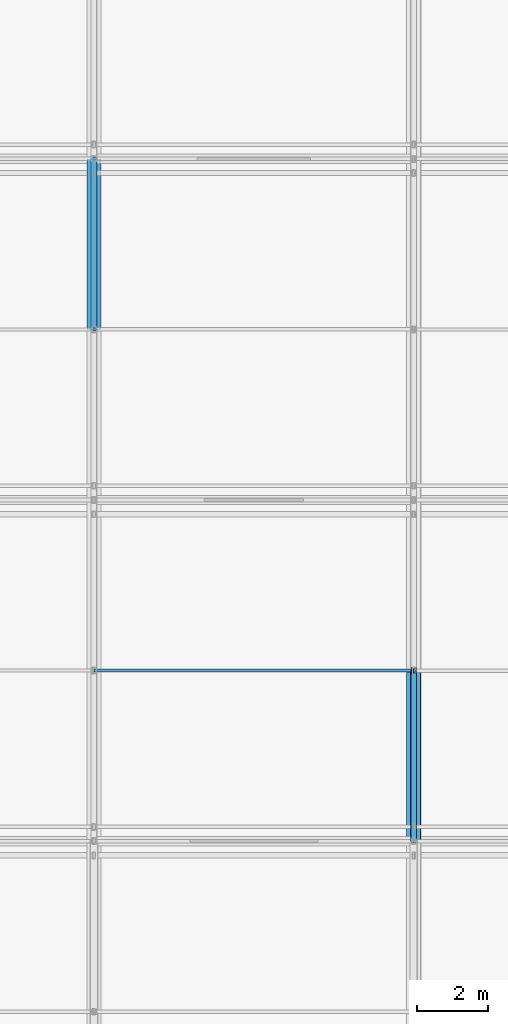
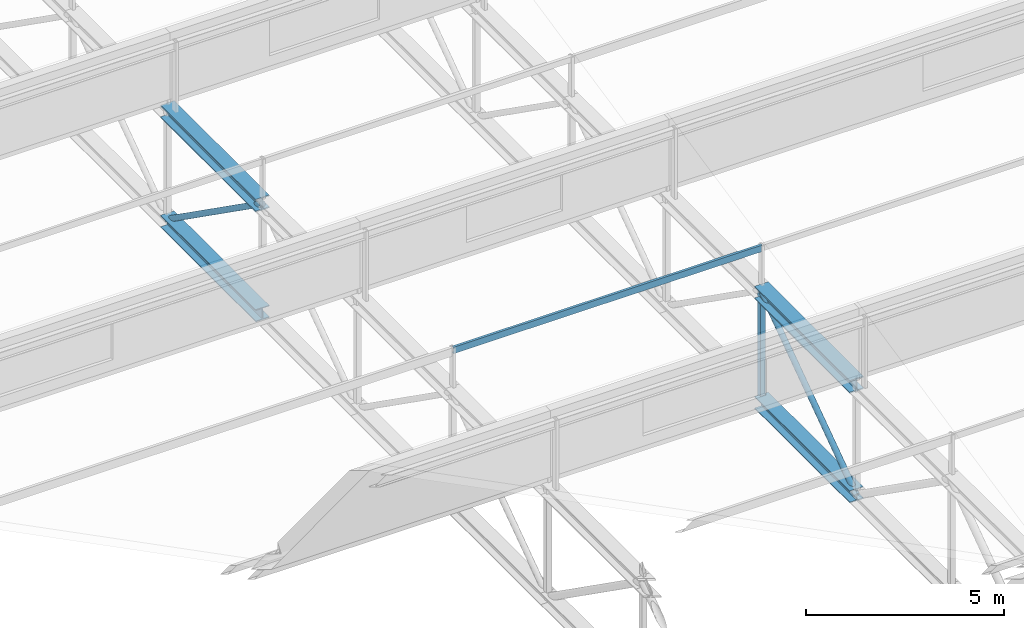
# One storey, part 33 of 136: 4 beams, 4 members.
"""IFC4 building model written with IfcOpenShell, lengths in metres."""

from ifc_helpers import new_model, si_unit, direction, frame, origin, origin_2d, place, context, subcontext, project, spatial, hollow_rectangle, hollow_circle, i_section, u_section, extrude, material, material_profile, profile_set, type_object, element, save


model = new_model("IFC4")

# Units and contexts
model_context = context("Model", 3, precision=1e-05, world=origin(), true_north=direction((0.0, 1.0)))
body_context = subcontext(model_context, "Body", "Model", "MODEL_VIEW")
ifc_project = project(units=[si_unit("LENGTHUNIT", "METRE"), si_unit("AREAUNIT", "SQUARE_METRE"), si_unit("VOLUMEUNIT", "CUBIC_METRE"), si_unit("PLANEANGLEUNIT", "RADIAN"), si_unit("MASSUNIT", "GRAM", prefix="KILO")], contexts=[model_context])

# Site, building, storey
site_placement = place(None, origin())
site = spatial("IfcSite", under=ifc_project, at=site_placement, CompositionType="ELEMENT")
building_placement = place(site_placement, origin())
building = spatial("IfcBuilding", under=site, at=building_placement, Name="Kisiwana Market Hall", CompositionType="ELEMENT")
storey_placement = place(building_placement, frame((0.0, 0.0, 16.800048828125)))
storey = spatial("IfcBuildingStorey", under=building, at=storey_placement, Name="L03", CompositionType="ELEMENT", Elevation=16.800048828125)

# Beams
ifc_material_1 = material(Name="Steel S355", Category="steel")
ifc_material_profile_1 = material_profile(ifc_material_1, i_section(OverallWidth=0.394775390625, OverallDepth=0.381103515625, WebThickness=0.018310546875, FlangeThickness=0.0302734375, at=origin_2d()), Name="UC 356x406x235")
ifc_profile_set_1 = profile_set([ifc_material_profile_1], Name="Steel S355")
beam_type_1 = type_object("IfcBeamType", Name="BM-TRUSS-BOT", PredefinedType="USERDEFINED", material=ifc_profile_set_1)
beam_1_placement = place(storey_placement, frame((108.0, 60.0, 0.22998046875), z_axis=(0.0, 1.0, 0.0), x_axis=(-1.0, 0.0, 0.0)))
element("IfcBeam", 1, at=beam_1_placement, inside=storey, type_object=beam_type_1, Name="TR-05 BC panel 6 B-1263", ObjectType="ROOF TRUSS", PredefinedType="USERDEFINED", context=body_context, shape_type="SweptSolid", body=[
    extrude(i_section(OverallWidth=0.394775390625, OverallDepth=0.381103515625, WebThickness=0.018310546875, FlangeThickness=0.0302734375, at=origin_2d()), origin(), (0.0, 0.0, 1.0), 4.800048828125),
])
beam_2_placement = place(storey_placement, frame((117.0, 45.60009765625, 0.22998046875), z_axis=(0.0, 1.0, 0.0), x_axis=(-1.0, 0.0, 0.0)))
element("IfcBeam", 2, at=beam_2_placement, inside=storey, type_object=beam_type_1, Name="TR-06 BC panel 3 B-1280", ObjectType="ROOF TRUSS", PredefinedType="USERDEFINED", context=body_context, shape_type="SweptSolid", body=[
    extrude(i_section(OverallWidth=0.394775390625, OverallDepth=0.381103515625, WebThickness=0.018310546875, FlangeThickness=0.0302734375, at=origin_2d()), origin(), (0.0, 0.0, 1.0), 4.7998046875),
])
ifc_material_2 = material(Name="Steel S355", Category="steel")
ifc_material_profile_2 = material_profile(ifc_material_2, i_section(OverallWidth=0.39892578125, OverallDepth=0.3935546875, WebThickness=0.022705078125, FlangeThickness=0.03662109375, at=origin_2d()), Name="UC 356x406x287")
ifc_profile_set_2 = profile_set([ifc_material_profile_2], Name="Steel S355")
beam_type_2 = type_object("IfcBeamType", Name="BM-TRUSS-TOP", PredefinedType="USERDEFINED", material=ifc_profile_set_2)
beam_3_placement = place(storey_placement, frame((108.0, 60.0, 3.619873046875), z_axis=(0.0, 1.0, 0.0), x_axis=(-1.0, 0.0, 0.0)))
element("IfcBeam", 3, at=beam_3_placement, inside=storey, type_object=beam_type_2, Name="TR-05 TC panel 6 B-1273", ObjectType="ROOF TRUSS", PredefinedType="USERDEFINED", context=body_context, shape_type="SweptSolid", body=[
    extrude(i_section(OverallWidth=0.39892578125, OverallDepth=0.3935546875, WebThickness=0.022705078125, FlangeThickness=0.03662109375, at=origin_2d()), origin(), (0.0, 0.0, 1.0), 4.800048828125),
])
beam_4_placement = place(storey_placement, frame((117.0, 45.60009765625, 3.619873046875), z_axis=(0.0, 1.0, 0.0), x_axis=(-1.0, 0.0, 0.0)))
element("IfcBeam", 4, at=beam_4_placement, inside=storey, type_object=beam_type_2, Name="TR-06 TC panel 3 B-1290", ObjectType="ROOF TRUSS", PredefinedType="USERDEFINED", context=body_context, shape_type="SweptSolid", body=[
    extrude(i_section(OverallWidth=0.39892578125, OverallDepth=0.3935546875, WebThickness=0.022705078125, FlangeThickness=0.03662109375, at=origin_2d()), origin(), (0.0, 0.0, 1.0), 4.7998046875),
])

# Members
ifc_material_3 = material(Name="Steel S355", Category="steel")
ifc_material_profile_3 = material_profile(ifc_material_3, u_section(Depth=0.199951171875, FlangeWidth=0.074951171875, WebThickness=0.006103515625, FlangeThickness=0.012451171875, at=origin_2d()), Name="PFC 200x75x23")
ifc_profile_set_3 = profile_set([ifc_material_profile_3], Name="Steel S355")
member_type_1 = type_object("IfcMemberType", Name="MB-PURL-PFC200", PredefinedType="PURLIN", material=ifc_profile_set_3)
member_1_placement = place(storey_placement, frame((108.0, 50.39990234375, 4.936279296875), z_axis=(1.0, 0.0, 0.0), x_axis=(0.0, 1.0, 0.0)))
element("IfcMember", 5, at=member_1_placement, inside=storey, type_object=member_type_1, Name="Sawtooth mid-slope roof purlin 28 M-0102", PredefinedType="PURLIN", context=body_context, shape_type="SweptSolid", body=[
    extrude(u_section(Depth=0.199951171875, FlangeWidth=0.074951171875, WebThickness=0.006103515625, FlangeThickness=0.012451171875, at=origin_2d()), origin(), (0.0, 0.0, 1.0), 9.0),
])
ifc_material_4 = material(Name="Steel S355", Category="steel")
ifc_material_profile_4 = material_profile(ifc_material_4, hollow_circle(Radius=0.084228515625, WallThickness=0.010009765625, at=origin_2d()), Name="CHS 168.3x10.0")
ifc_profile_set_4 = profile_set([ifc_material_profile_4], Name="Steel S355")
member_type_2 = type_object("IfcMemberType", Name="MB-TR-DIAG168", PredefinedType="BRACE", material=ifc_profile_set_4)
member_2_placement = place(storey_placement, frame((108.0, 60.0, 3.619873046875), z_axis=(0.0, 0.816837735077, -0.576867501732), x_axis=(-1.0, 0.0, 0.0)))
element("IfcMember", 6, at=member_2_placement, inside=storey, type_object=member_type_2, Name="TR-05 diagonal 6 M-0417", PredefinedType="BRACE", context=body_context, shape_type="SweptSolid", body=[
    extrude(hollow_circle(Radius=0.084228515625, WallThickness=0.010009765625, at=origin_2d()), origin(), (0.0, 0.0, 1.0), 5.87646484375),
])
member_3_placement = place(storey_placement, frame((117.0, 45.60009765625, 0.22998046875), z_axis=(0.0, 0.816823908826, 0.576887079046), x_axis=(-1.0, 0.0, 0.0)))
element("IfcMember", 7, at=member_3_placement, inside=storey, type_object=member_type_2, Name="TR-06 diagonal 3 M-0433", PredefinedType="BRACE", context=body_context, shape_type="SweptSolid", body=[
    extrude(hollow_circle(Radius=0.084228515625, WallThickness=0.010009765625, at=origin_2d()), origin(), (0.0, 0.0, 1.0), 5.876220703125),
])
ifc_material_5 = material(Name="Steel S355", Category="steel")
ifc_material_profile_5 = material_profile(ifc_material_5, hollow_rectangle(XDim=0.14990234375, YDim=0.14990234375, WallThickness=0.008056640625, at=origin_2d()), Name="SHS 150x150x8.0")
ifc_profile_set_5 = profile_set([ifc_material_profile_5], Name="Steel S355")
member_type_3 = type_object("IfcMemberType", Name="MB-TR-STRUT200", PredefinedType="STRUT", material=ifc_profile_set_5)
member_4_placement = place(storey_placement, frame((117.0, 50.39990234375, 0.22998046875), z_axis=(0.0, 0.0, 1.0), x_axis=(1.0, 0.0, 0.0)))
element("IfcMember", 8, at=member_4_placement, inside=storey, type_object=member_type_3, Name="TR-06 vertical strut 4 M-0443", PredefinedType="STRUT", context=body_context, shape_type="SweptSolid", body=[
    extrude(hollow_rectangle(XDim=0.14990234375, YDim=0.14990234375, WallThickness=0.008056640625, at=origin_2d()), origin(), (0.0, 0.0, 1.0), 3.389892578125),
])

save(model, "model.ifc")
